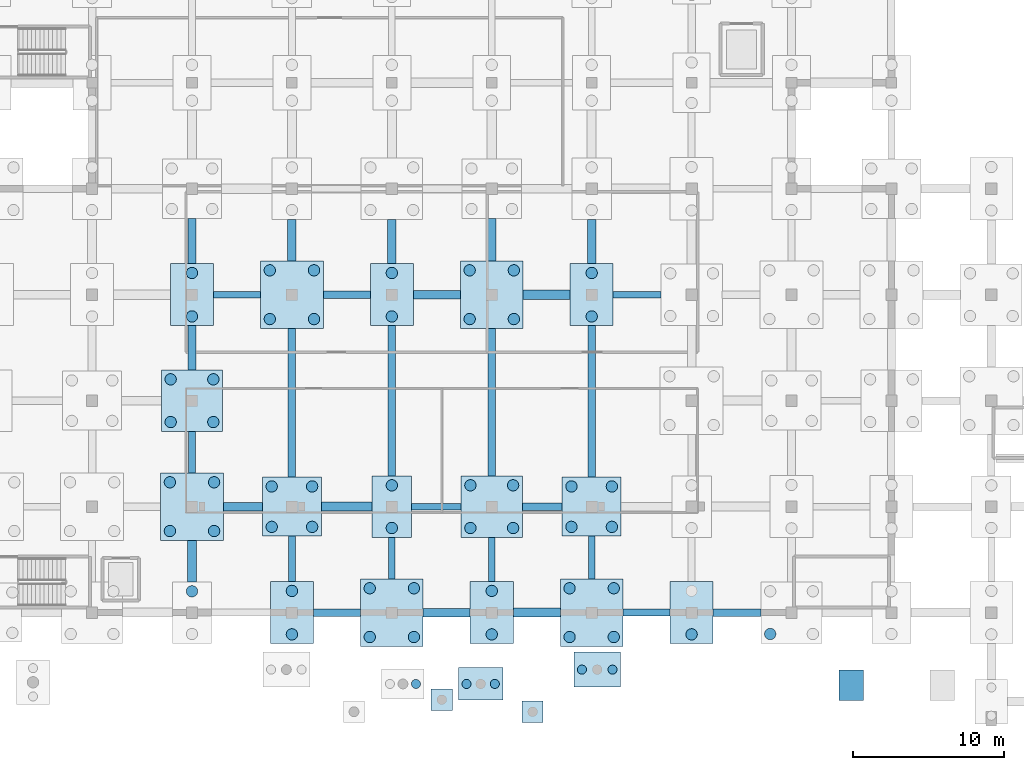
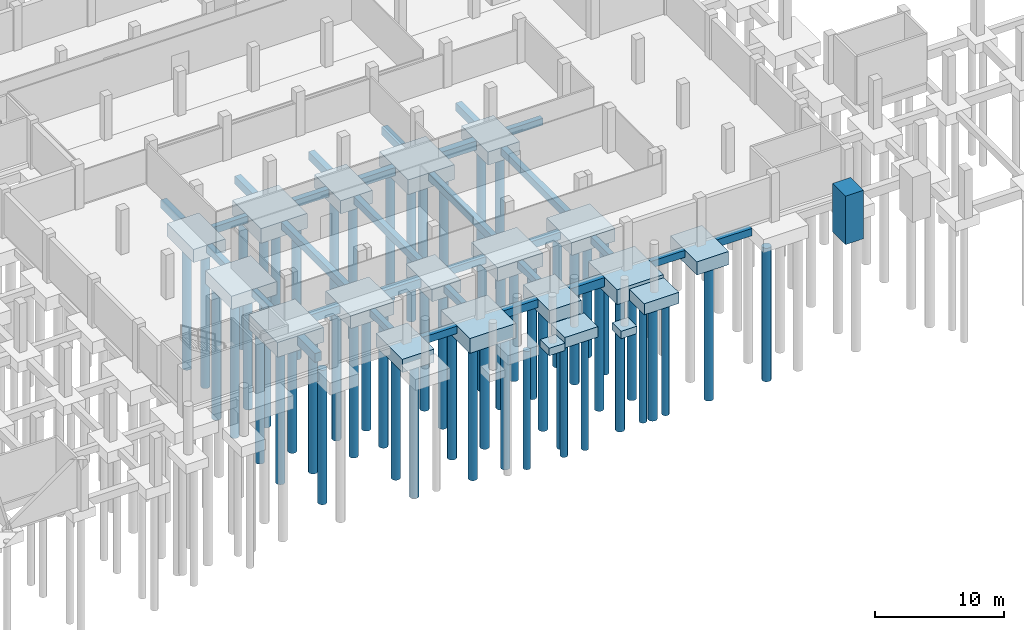
# One storey, part 4 of 27: 56 piles, 51 footings.
"""IFC4 building model written with IfcOpenShell, lengths in metres."""

from ifc_helpers import new_model, si_unit, direction, frame, origin, origin_2d, place, context, subcontext, project, spatial, rectangle, circle, extrude, material, material_profile, profile_set, type_object, element, save


model = new_model("IFC4")

# Units and contexts
model_context = context("Model", 3, precision=1e-05, world=origin(), true_north=direction((0.0, 1.0)))
body_context = subcontext(model_context, "Body", "Model", "MODEL_VIEW")
ifc_project = project(units=[si_unit("LENGTHUNIT", "METRE"), si_unit("AREAUNIT", "SQUARE_METRE"), si_unit("VOLUMEUNIT", "CUBIC_METRE"), si_unit("PLANEANGLEUNIT", "RADIAN"), si_unit("MASSUNIT", "GRAM", prefix="KILO")], contexts=[model_context])

# Site, building, storey
site_placement = place(None, origin())
site = spatial("IfcSite", under=ifc_project, at=site_placement, CompositionType="ELEMENT")
building_placement = place(site_placement, origin())
building = spatial("IfcBuilding", under=site, at=building_placement, Name="Ciguamira Faculty of Natural Sciences", CompositionType="ELEMENT")
storey_placement = place(building_placement, frame((0.0, 0.0, -4.199951171875)))
storey = spatial("IfcBuildingStorey", under=building, at=storey_placement, Name="B1", CompositionType="ELEMENT", Elevation=-4.199951171875)

# Piles
ifc_material = material(Name="Concrete C35/45", Category="concrete")
ifc_material_profile_1 = material_profile(ifc_material, circle(Radius=0.300048828125, at=origin_2d()), Name="PILE-BORED-600")
ifc_profile_set_1 = profile_set([ifc_material_profile_1], Name="Concrete C35/45")
pile_type_1 = type_object("IfcPileType", Name="BoredPile_BP-01_600", PredefinedType="BORED", material=ifc_profile_set_1)
pile_1_placement = place(storey_placement, frame((85.293212890625, 5.291259765625, -1.199951171875), z_axis=(0.0, 0.0, -1.0), x_axis=(1.0, 0.0, 0.0)))
element("IfcPile", 1, at=pile_1_placement, inside=storey, type_object=pile_type_1, Name="B1 bored pile 219-2", PredefinedType="BORED", context=body_context, shape_type="SweptSolid", body=[
    extrude(circle(Radius=0.300048828125, at=origin_2d()), origin(), (0.0, 0.0, 1.0), 11.199951171875),
])
for number, where, z_axis, x_axis, name in (
    (2, (88.631591796875, 5.291259765625, -1.300048828125), (0.0, 0.0, -1.0), (1.0, 0.0, 0.0), "B1 bored pile 220-1"),
    (3, (90.501708984375, 5.291259765625, -1.300048828125), (0.0, 0.0, -1.0), (1.0, 0.0, 0.0), "B1 bored pile 220-2"),
):
    element("IfcPile", number, at=place(storey_placement, frame(where, z_axis=z_axis, x_axis=x_axis)), inside=storey, type_object=pile_type_1, Name=name, PredefinedType="BORED", context=body_context, shape_type="SweptSolid", body=[
        extrude(circle(Radius=0.300048828125, at=origin_2d()), origin(), (0.0, 0.0, 1.0), 11.10009765625),
    ])
for number, where, z_axis, x_axis, name in (
    (4, (96.256591796875, 6.236572265625, -1.35009765625), (0.0, 0.0, -1.0), (1.0, 0.0, 0.0), "B1 bored pile 221-1"),
    (5, (98.276611328125, 6.236572265625, -1.35009765625), (0.0, 0.0, -1.0), (1.0, 0.0, 0.0), "B1 bored pile 221-2"),
):
    element("IfcPile", number, at=place(storey_placement, frame(where, z_axis=z_axis, x_axis=x_axis)), inside=storey, type_object=pile_type_1, Name=name, PredefinedType="BORED", context=body_context, shape_type="SweptSolid", body=[
        extrude(circle(Radius=0.300048828125, at=origin_2d()), origin(), (0.0, 0.0, 1.0), 11.050048828125),
    ])
ifc_material_profile_2 = material_profile(ifc_material, circle(Radius=0.375, at=origin_2d()), Name="PILE-BORED-750")
ifc_profile_set_2 = profile_set([ifc_material_profile_2], Name="Concrete C35/45")
pile_type_2 = type_object("IfcPileType", Name="BoredPile_BP-02_750", PredefinedType="BORED", material=ifc_profile_set_2)
pile_2_placement = place(storey_placement, frame((70.5, 11.409912109375, -1.449951171875), z_axis=(0.0, 0.0, -1.0), x_axis=(1.0, 0.0, 0.0)))
element("IfcPile", 6, at=pile_2_placement, inside=storey, type_object=pile_type_2, Name="B1 bored pile 066-2", PredefinedType="BORED", context=body_context, shape_type="SweptSolid", body=[
    extrude(circle(Radius=0.375, at=origin_2d()), origin(), (0.0, 0.0, 1.0), 12.75),
])
for number, where, z_axis, x_axis, name in (
    (7, (69.0400390625, 15.389892578125, -1.699951171875), (0.0, 0.0, -1.0), (1.0, 0.0, 0.0), "B1 bored pile 067-1"),
    (8, (71.9599609375, 15.389892578125, -1.699951171875), (0.0, 0.0, -1.0), (1.0, 0.0, 0.0), "B1 bored pile 067-2"),
    (9, (69.0400390625, 18.610107421875, -1.699951171875), (0.0, 0.0, -1.0), (1.0, 0.0, 0.0), "B1 bored pile 067-3"),
    (10, (71.9599609375, 18.610107421875, -1.699951171875), (0.0, 0.0, -1.0), (1.0, 0.0, 0.0), "B1 bored pile 067-4"),
):
    element("IfcPile", number, at=place(storey_placement, frame(where, z_axis=z_axis, x_axis=x_axis)), inside=storey, type_object=pile_type_2, Name=name, PredefinedType="BORED", context=body_context, shape_type="SweptSolid", body=[
        extrude(circle(Radius=0.375, at=origin_2d()), origin(), (0.0, 0.0, 1.0), 12.5),
    ])
for number, where, z_axis, x_axis, name in (
    (11, (69.090087890625, 22.590087890625, -1.550048828125), (0.0, 0.0, -1.0), (1.0, 0.0, 0.0), "B1 bored pile 068-1"),
    (12, (71.909912109375, 22.590087890625, -1.550048828125), (0.0, 0.0, -1.0), (1.0, 0.0, 0.0), "B1 bored pile 068-2"),
    (13, (69.090087890625, 25.409912109375, -1.550048828125), (0.0, 0.0, -1.0), (1.0, 0.0, 0.0), "B1 bored pile 068-3"),
    (14, (71.909912109375, 25.409912109375, -1.550048828125), (0.0, 0.0, -1.0), (1.0, 0.0, 0.0), "B1 bored pile 068-4"),
    (15, (70.5, 29.56494140625, -1.550048828125), (0.0, 0.0, -1.0), (1.0, 0.0, 0.0), "B1 bored pile 069-1"),
    (16, (70.5, 32.43505859375, -1.550048828125), (0.0, 0.0, -1.0), (1.0, 0.0, 0.0), "B1 bored pile 069-2"),
    (17, (77.10009765625, 8.56494140625, -1.550048828125), (0.0, 0.0, -1.0), (1.0, 0.0, 0.0), "B1 bored pile 081-1"),
    (18, (77.10009765625, 11.43505859375, -1.550048828125), (0.0, 0.0, -1.0), (1.0, 0.0, 0.0), "B1 bored pile 081-2"),
):
    element("IfcPile", number, at=place(storey_placement, frame(where, z_axis=z_axis, x_axis=x_axis)), inside=storey, type_object=pile_type_2, Name=name, PredefinedType="BORED", context=body_context, shape_type="SweptSolid", body=[
        extrude(circle(Radius=0.375, at=origin_2d()), origin(), (0.0, 0.0, 1.0), 12.64990234375),
    ])
for number, where, z_axis, x_axis, name in (
    (19, (75.764892578125, 15.6650390625, -1.5), (0.0, 0.0, -1.0), (1.0, 0.0, 0.0), "B1 bored pile 082-1"),
    (20, (78.43505859375, 15.6650390625, -1.5), (0.0, 0.0, -1.0), (1.0, 0.0, 0.0), "B1 bored pile 082-2"),
    (21, (75.764892578125, 18.3349609375, -1.5), (0.0, 0.0, -1.0), (1.0, 0.0, 0.0), "B1 bored pile 082-3"),
    (22, (78.43505859375, 18.3349609375, -1.5), (0.0, 0.0, -1.0), (1.0, 0.0, 0.0), "B1 bored pile 082-4"),
):
    element("IfcPile", number, at=place(storey_placement, frame(where, z_axis=z_axis, x_axis=x_axis)), inside=storey, type_object=pile_type_2, Name=name, PredefinedType="BORED", context=body_context, shape_type="SweptSolid", body=[
        extrude(circle(Radius=0.375, at=origin_2d()), origin(), (0.0, 0.0, 1.0), 12.699951171875),
    ])
for number, where, z_axis, x_axis, name in (
    (23, (75.639892578125, 29.389892578125, -1.699951171875), (0.0, 0.0, -1.0), (1.0, 0.0, 0.0), "B1 bored pile 083-1"),
    (24, (78.56005859375, 29.389892578125, -1.699951171875), (0.0, 0.0, -1.0), (1.0, 0.0, 0.0), "B1 bored pile 083-2"),
    (25, (75.639892578125, 32.610107421875, -1.699951171875), (0.0, 0.0, -1.0), (1.0, 0.0, 0.0), "B1 bored pile 083-3"),
    (26, (78.56005859375, 32.610107421875, -1.699951171875), (0.0, 0.0, -1.0), (1.0, 0.0, 0.0), "B1 bored pile 083-4"),
    (27, (82.239990234375, 8.389892578125, -1.699951171875), (0.0, 0.0, -1.0), (1.0, 0.0, 0.0), "B1 bored pile 095-1"),
    (28, (85.159912109375, 8.389892578125, -1.699951171875), (0.0, 0.0, -1.0), (1.0, 0.0, 0.0), "B1 bored pile 095-2"),
    (29, (82.239990234375, 11.610107421875, -1.699951171875), (0.0, 0.0, -1.0), (1.0, 0.0, 0.0), "B1 bored pile 095-3"),
    (30, (85.159912109375, 11.610107421875, -1.699951171875), (0.0, 0.0, -1.0), (1.0, 0.0, 0.0), "B1 bored pile 095-4"),
):
    element("IfcPile", number, at=place(storey_placement, frame(where, z_axis=z_axis, x_axis=x_axis)), inside=storey, type_object=pile_type_2, Name=name, PredefinedType="BORED", context=body_context, shape_type="SweptSolid", body=[
        extrude(circle(Radius=0.375, at=origin_2d()), origin(), (0.0, 0.0, 1.0), 12.5),
    ])
for number, where, z_axis, x_axis, name in (
    (31, (83.699951171875, 15.590087890625, -1.449951171875), (0.0, 0.0, -1.0), (1.0, 0.0, 0.0), "B1 bored pile 096-1"),
    (32, (83.699951171875, 18.409912109375, -1.449951171875), (0.0, 0.0, -1.0), (1.0, 0.0, 0.0), "B1 bored pile 096-2"),
):
    element("IfcPile", number, at=place(storey_placement, frame(where, z_axis=z_axis, x_axis=x_axis)), inside=storey, type_object=pile_type_2, Name=name, PredefinedType="BORED", context=body_context, shape_type="SweptSolid", body=[
        extrude(circle(Radius=0.375, at=origin_2d()), origin(), (0.0, 0.0, 1.0), 12.75),
    ])
for number, where, z_axis, x_axis, name in (
    (33, (83.699951171875, 29.56494140625, -1.550048828125), (0.0, 0.0, -1.0), (1.0, 0.0, 0.0), "B1 bored pile 097-1"),
    (34, (83.699951171875, 32.43505859375, -1.550048828125), (0.0, 0.0, -1.0), (1.0, 0.0, 0.0), "B1 bored pile 097-2"),
    (35, (90.300048828125, 8.56494140625, -1.550048828125), (0.0, 0.0, -1.0), (1.0, 0.0, 0.0), "B1 bored pile 109-1"),
    (36, (90.300048828125, 11.43505859375, -1.550048828125), (0.0, 0.0, -1.0), (1.0, 0.0, 0.0), "B1 bored pile 109-2"),
    (37, (88.889892578125, 15.590087890625, -1.550048828125), (0.0, 0.0, -1.0), (1.0, 0.0, 0.0), "B1 bored pile 110-1"),
    (38, (91.7099609375, 15.590087890625, -1.550048828125), (0.0, 0.0, -1.0), (1.0, 0.0, 0.0), "B1 bored pile 110-2"),
    (39, (88.889892578125, 18.409912109375, -1.550048828125), (0.0, 0.0, -1.0), (1.0, 0.0, 0.0), "B1 bored pile 110-3"),
    (40, (91.7099609375, 18.409912109375, -1.550048828125), (0.0, 0.0, -1.0), (1.0, 0.0, 0.0), "B1 bored pile 110-4"),
):
    element("IfcPile", number, at=place(storey_placement, frame(where, z_axis=z_axis, x_axis=x_axis)), inside=storey, type_object=pile_type_2, Name=name, PredefinedType="BORED", context=body_context, shape_type="SweptSolid", body=[
        extrude(circle(Radius=0.375, at=origin_2d()), origin(), (0.0, 0.0, 1.0), 12.64990234375),
    ])
for number, where, z_axis, x_axis, name in (
    (41, (88.840087890625, 29.389892578125, -1.699951171875), (0.0, 0.0, -1.0), (1.0, 0.0, 0.0), "B1 bored pile 111-1"),
    (42, (91.760009765625, 29.389892578125, -1.699951171875), (0.0, 0.0, -1.0), (1.0, 0.0, 0.0), "B1 bored pile 111-2"),
    (43, (88.840087890625, 32.610107421875, -1.699951171875), (0.0, 0.0, -1.0), (1.0, 0.0, 0.0), "B1 bored pile 111-3"),
    (44, (91.760009765625, 32.610107421875, -1.699951171875), (0.0, 0.0, -1.0), (1.0, 0.0, 0.0), "B1 bored pile 111-4"),
    (45, (95.43994140625, 8.389892578125, -1.699951171875), (0.0, 0.0, -1.0), (1.0, 0.0, 0.0), "B1 bored pile 123-1"),
    (46, (98.360107421875, 8.389892578125, -1.699951171875), (0.0, 0.0, -1.0), (1.0, 0.0, 0.0), "B1 bored pile 123-2"),
    (47, (95.43994140625, 11.610107421875, -1.699951171875), (0.0, 0.0, -1.0), (1.0, 0.0, 0.0), "B1 bored pile 123-3"),
    (48, (98.360107421875, 11.610107421875, -1.699951171875), (0.0, 0.0, -1.0), (1.0, 0.0, 0.0), "B1 bored pile 123-4"),
):
    element("IfcPile", number, at=place(storey_placement, frame(where, z_axis=z_axis, x_axis=x_axis)), inside=storey, type_object=pile_type_2, Name=name, PredefinedType="BORED", context=body_context, shape_type="SweptSolid", body=[
        extrude(circle(Radius=0.375, at=origin_2d()), origin(), (0.0, 0.0, 1.0), 12.5),
    ])
for number, where, z_axis, x_axis, name in (
    (49, (95.56494140625, 15.6650390625, -1.5), (0.0, 0.0, -1.0), (1.0, 0.0, 0.0), "B1 bored pile 124-1"),
    (50, (98.235107421875, 15.6650390625, -1.5), (0.0, 0.0, -1.0), (1.0, 0.0, 0.0), "B1 bored pile 124-2"),
    (51, (95.56494140625, 18.3349609375, -1.5), (0.0, 0.0, -1.0), (1.0, 0.0, 0.0), "B1 bored pile 124-3"),
    (52, (98.235107421875, 18.3349609375, -1.5), (0.0, 0.0, -1.0), (1.0, 0.0, 0.0), "B1 bored pile 124-4"),
):
    element("IfcPile", number, at=place(storey_placement, frame(where, z_axis=z_axis, x_axis=x_axis)), inside=storey, type_object=pile_type_2, Name=name, PredefinedType="BORED", context=body_context, shape_type="SweptSolid", body=[
        extrude(circle(Radius=0.375, at=origin_2d()), origin(), (0.0, 0.0, 1.0), 12.699951171875),
    ])
for number, where, z_axis, x_axis, name in (
    (53, (96.89990234375, 29.56494140625, -1.550048828125), (0.0, 0.0, -1.0), (1.0, 0.0, 0.0), "B1 bored pile 125-1"),
    (54, (96.89990234375, 32.43505859375, -1.550048828125), (0.0, 0.0, -1.0), (1.0, 0.0, 0.0), "B1 bored pile 125-2"),
    (55, (103.5, 8.56494140625, -1.550048828125), (0.0, 0.0, -1.0), (1.0, 0.0, 0.0), "B1 bored pile 137-1"),
    (56, (108.68994140625, 8.590087890625, -1.550048828125), (0.0, 0.0, -1.0), (1.0, 0.0, 0.0), "B1 bored pile 152-1"),
):
    element("IfcPile", number, at=place(storey_placement, frame(where, z_axis=z_axis, x_axis=x_axis)), inside=storey, type_object=pile_type_2, Name=name, PredefinedType="BORED", context=body_context, shape_type="SweptSolid", body=[
        extrude(circle(Radius=0.375, at=origin_2d()), origin(), (0.0, 0.0, 1.0), 12.64990234375),
    ])

# Footings
ifc_material_profile_3 = material_profile(ifc_material, rectangle(XDim=0.449951171875, YDim=0.64990234375, at=origin_2d()), Name="RC-FB-450X650")
ifc_profile_set_3 = profile_set([ifc_material_profile_3], Name="Concrete C35/45")
footing_type_1 = type_object("IfcFootingType", Name="FootingBeam_FB-01_450x650", PredefinedType="FOOTING_BEAM", material=ifc_profile_set_3)
footing_1_placement = place(storey_placement, frame((98.97509765625, 10.0, -0.72509765625), z_axis=(1.0, 0.0, 0.0), x_axis=(0.0, 1.0, 0.0)))
element("IfcFooting", 57, at=footing_1_placement, inside=storey, type_object=footing_type_1, Name="B1 ground tie beam 0029", PredefinedType="FOOTING_BEAM", context=body_context, shape_type="SweptSolid", body=[
    extrude(rectangle(XDim=0.449951171875, YDim=0.64990234375, at=origin_2d()), origin(), (0.0, 0.0, 1.0), 3.099853515625),
])
footing_2_placement = place(storey_placement, frame((85.0, 17.0, -0.72509765625), z_axis=(1.0, 0.0, 0.0), x_axis=(0.0, 1.0, 0.0)))
element("IfcFooting", 58, at=footing_2_placement, inside=storey, type_object=footing_type_1, Name="B1 ground tie beam 0045", PredefinedType="FOOTING_BEAM", context=body_context, shape_type="SweptSolid", body=[
    extrude(rectangle(XDim=0.449951171875, YDim=0.64990234375, at=origin_2d()), origin(), (0.0, 0.0, 1.0), 3.27490234375),
])
footing_3_placement = place(storey_placement, frame((71.925048828125, 31.0, -0.72509765625), z_axis=(1.0, 0.0, 0.0), x_axis=(0.0, 1.0, 0.0)))
element("IfcFooting", 59, at=footing_3_placement, inside=storey, type_object=footing_type_1, Name="B1 ground tie beam 0081", PredefinedType="FOOTING_BEAM", context=body_context, shape_type="SweptSolid", body=[
    extrude(rectangle(XDim=0.449951171875, YDim=0.64990234375, at=origin_2d()), origin(), (0.0, 0.0, 1.0), 3.099853515625),
])
footing_4_placement = place(storey_placement, frame((98.324951171875, 31.0, -0.72509765625), z_axis=(1.0, 0.0, 0.0), x_axis=(0.0, 1.0, 0.0)))
element("IfcFooting", 60, at=footing_4_placement, inside=storey, type_object=footing_type_1, Name="B1 ground tie beam 0085", PredefinedType="FOOTING_BEAM", context=body_context, shape_type="SweptSolid", body=[
    extrude(rectangle(XDim=0.449951171875, YDim=0.64990234375, at=origin_2d()), origin(), (0.0, 0.0, 1.0), 3.150146484375),
])
footing_5_placement = place(storey_placement, frame((70.5, 19.22509765625, -0.72509765625), z_axis=(0.0, 1.0, 0.0), x_axis=(-1.0, 0.0, 0.0)))
element("IfcFooting", 61, at=footing_5_placement, inside=storey, type_object=footing_type_1, Name="B1 ground tie beam 0249", PredefinedType="FOOTING_BEAM", context=body_context, shape_type="SweptSolid", body=[
    extrude(rectangle(XDim=0.449951171875, YDim=0.64990234375, at=origin_2d()), origin(), (0.0, 0.0, 1.0), 2.75),
])
footing_6_placement = place(storey_placement, frame((77.10009765625, 12.050048828125, -0.72509765625), z_axis=(0.0, 1.0, 0.0), x_axis=(-1.0, 0.0, 0.0)))
element("IfcFooting", 62, at=footing_6_placement, inside=storey, type_object=footing_type_1, Name="B1 ground tie beam 0261", PredefinedType="FOOTING_BEAM", context=body_context, shape_type="SweptSolid", body=[
    extrude(rectangle(XDim=0.449951171875, YDim=0.64990234375, at=origin_2d()), origin(), (0.0, 0.0, 1.0), 3.0),
])
footing_7_placement = place(storey_placement, frame((83.699951171875, 12.22509765625, -0.72509765625), z_axis=(0.0, 1.0, 0.0), x_axis=(-1.0, 0.0, 0.0)))
element("IfcFooting", 63, at=footing_7_placement, inside=storey, type_object=footing_type_1, Name="B1 ground tie beam 0273", PredefinedType="FOOTING_BEAM", context=body_context, shape_type="SweptSolid", body=[
    extrude(rectangle(XDim=0.449951171875, YDim=0.64990234375, at=origin_2d()), origin(), (0.0, 0.0, 1.0), 2.75),
])
footing_8_placement = place(storey_placement, frame((90.300048828125, 12.050048828125, -0.72509765625), z_axis=(0.0, 1.0, 0.0), x_axis=(-1.0, 0.0, 0.0)))
element("IfcFooting", 64, at=footing_8_placement, inside=storey, type_object=footing_type_1, Name="B1 ground tie beam 0285", PredefinedType="FOOTING_BEAM", context=body_context, shape_type="SweptSolid", body=[
    extrude(rectangle(XDim=0.449951171875, YDim=0.64990234375, at=origin_2d()), origin(), (0.0, 0.0, 1.0), 2.925048828125),
])
footing_9_placement = place(storey_placement, frame((96.89990234375, 12.22509765625, -0.72509765625), z_axis=(0.0, 1.0, 0.0), x_axis=(-1.0, 0.0, 0.0)))
element("IfcFooting", 65, at=footing_9_placement, inside=storey, type_object=footing_type_1, Name="B1 ground tie beam 0297", PredefinedType="FOOTING_BEAM", context=body_context, shape_type="SweptSolid", body=[
    extrude(rectangle(XDim=0.449951171875, YDim=0.64990234375, at=origin_2d()), origin(), (0.0, 0.0, 1.0), 2.824951171875),
])
ifc_material_profile_4 = material_profile(ifc_material, rectangle(XDim=0.5, YDim=0.699951171875, at=origin_2d()), Name="RC-FB-500X700")
ifc_profile_set_4 = profile_set([ifc_material_profile_4], Name="Concrete C35/45")
footing_type_2 = type_object("IfcFootingType", Name="FootingBeam_FB-02_500x700", PredefinedType="FOOTING_BEAM", material=ifc_profile_set_4)
footing_10_placement = place(storey_placement, frame((78.52490234375, 10.0, -0.75), z_axis=(1.0, 0.0, 0.0), x_axis=(0.0, 1.0, 0.0)))
element("IfcFooting", 66, at=footing_10_placement, inside=storey, type_object=footing_type_2, Name="B1 ground tie beam 0026", PredefinedType="FOOTING_BEAM", context=body_context, shape_type="SweptSolid", body=[
    extrude(rectangle(XDim=0.5, YDim=0.699951171875, at=origin_2d()), origin(), (0.0, 0.0, 1.0), 3.10009765625),
])
footing_11_placement = place(storey_placement, frame((104.925048828125, 10.0, -0.75), z_axis=(1.0, 0.0, 0.0), x_axis=(0.0, 1.0, 0.0)))
element("IfcFooting", 67, at=footing_11_placement, inside=storey, type_object=footing_type_2, Name="B1 ground tie beam 0030", PredefinedType="FOOTING_BEAM", context=body_context, shape_type="SweptSolid", body=[
    extrude(rectangle(XDim=0.5, YDim=0.699951171875, at=origin_2d()), origin(), (0.0, 0.0, 1.0), 3.14990234375),
])
footing_12_placement = place(storey_placement, frame((92.324951171875, 17.0, -0.75), z_axis=(1.0, 0.0, 0.0), x_axis=(0.0, 1.0, 0.0)))
element("IfcFooting", 68, at=footing_12_placement, inside=storey, type_object=footing_type_2, Name="B1 ground tie beam 0046", PredefinedType="FOOTING_BEAM", context=body_context, shape_type="SweptSolid", body=[
    extrude(rectangle(XDim=0.5, YDim=0.699951171875, at=origin_2d()), origin(), (0.0, 0.0, 1.0), 2.625),
])
footing_13_placement = place(storey_placement, frame((79.175048828125, 31.0, -0.75), z_axis=(1.0, 0.0, 0.0), x_axis=(0.0, 1.0, 0.0)))
element("IfcFooting", 69, at=footing_13_placement, inside=storey, type_object=footing_type_2, Name="B1 ground tie beam 0082", PredefinedType="FOOTING_BEAM", context=body_context, shape_type="SweptSolid", body=[
    extrude(rectangle(XDim=0.5, YDim=0.699951171875, at=origin_2d()), origin(), (0.0, 0.0, 1.0), 3.099853515625),
])
footing_14_placement = place(storey_placement, frame((70.5, 26.02490234375, -0.75), z_axis=(0.0, 1.0, 0.0), x_axis=(-1.0, 0.0, 0.0)))
element("IfcFooting", 70, at=footing_14_placement, inside=storey, type_object=footing_type_2, Name="B1 ground tie beam 0250", PredefinedType="FOOTING_BEAM", context=body_context, shape_type="SweptSolid", body=[
    extrude(rectangle(XDim=0.5, YDim=0.699951171875, at=origin_2d()), origin(), (0.0, 0.0, 1.0), 2.925048828125),
])
footing_15_placement = place(storey_placement, frame((77.10009765625, 18.949951171875, -0.75), z_axis=(0.0, 1.0, 0.0), x_axis=(-1.0, 0.0, 0.0)))
element("IfcFooting", 71, at=footing_15_placement, inside=storey, type_object=footing_type_2, Name="B1 ground tie beam 0262", PredefinedType="FOOTING_BEAM", context=body_context, shape_type="SweptSolid", body=[
    extrude(rectangle(XDim=0.5, YDim=0.699951171875, at=origin_2d()), origin(), (0.0, 0.0, 1.0), 9.824951171875),
])
footing_16_placement = place(storey_placement, frame((83.699951171875, 19.02490234375, -0.75), z_axis=(0.0, 1.0, 0.0), x_axis=(-1.0, 0.0, 0.0)))
element("IfcFooting", 72, at=footing_16_placement, inside=storey, type_object=footing_type_2, Name="B1 ground tie beam 0274", PredefinedType="FOOTING_BEAM", context=body_context, shape_type="SweptSolid", body=[
    extrude(rectangle(XDim=0.5, YDim=0.699951171875, at=origin_2d()), origin(), (0.0, 0.0, 1.0), 9.925048828125),
])
footing_17_placement = place(storey_placement, frame((90.300048828125, 19.02490234375, -0.75), z_axis=(0.0, 1.0, 0.0), x_axis=(-1.0, 0.0, 0.0)))
element("IfcFooting", 73, at=footing_17_placement, inside=storey, type_object=footing_type_2, Name="B1 ground tie beam 0286", PredefinedType="FOOTING_BEAM", context=body_context, shape_type="SweptSolid", body=[
    extrude(rectangle(XDim=0.5, YDim=0.699951171875, at=origin_2d()), origin(), (0.0, 0.0, 1.0), 9.75),
])
footing_18_placement = place(storey_placement, frame((96.89990234375, 18.949951171875, -0.75), z_axis=(0.0, 1.0, 0.0), x_axis=(-1.0, 0.0, 0.0)))
element("IfcFooting", 74, at=footing_18_placement, inside=storey, type_object=footing_type_2, Name="B1 ground tie beam 0298", PredefinedType="FOOTING_BEAM", context=body_context, shape_type="SweptSolid", body=[
    extrude(rectangle(XDim=0.5, YDim=0.699951171875, at=origin_2d()), origin(), (0.0, 0.0, 1.0), 10.0),
])
ifc_material_profile_5 = material_profile(ifc_material, rectangle(XDim=0.550048828125, YDim=0.75, at=origin_2d()), Name="RC-FB-550X750")
ifc_profile_set_5 = profile_set([ifc_material_profile_5], Name="Concrete C35/45")
footing_type_3 = type_object("IfcFootingType", Name="FootingBeam_FB-03_550x750", PredefinedType="FOOTING_BEAM", material=ifc_profile_set_5)
footing_19_placement = place(storey_placement, frame((85.77490234375, 10.0, -0.775146484375), z_axis=(1.0, 0.0, 0.0), x_axis=(0.0, 1.0, 0.0)))
element("IfcFooting", 75, at=footing_19_placement, inside=storey, type_object=footing_type_3, Name="B1 ground tie beam 0027", PredefinedType="FOOTING_BEAM", context=body_context, shape_type="SweptSolid", body=[
    extrude(rectangle(XDim=0.550048828125, YDim=0.75, at=origin_2d()), origin(), (0.0, 0.0, 1.0), 3.10009765625),
])
footing_20_placement = place(storey_placement, frame((72.574951171875, 17.0, -0.775146484375), z_axis=(1.0, 0.0, 0.0), x_axis=(0.0, 1.0, 0.0)))
element("IfcFooting", 76, at=footing_20_placement, inside=storey, type_object=footing_type_3, Name="B1 ground tie beam 0043", PredefinedType="FOOTING_BEAM", context=body_context, shape_type="SweptSolid", body=[
    extrude(rectangle(XDim=0.550048828125, YDim=0.75, at=origin_2d()), origin(), (0.0, 0.0, 1.0), 2.574951171875),
])
footing_21_placement = place(storey_placement, frame((85.125, 31.0, -0.775146484375), z_axis=(1.0, 0.0, 0.0), x_axis=(0.0, 1.0, 0.0)))
element("IfcFooting", 77, at=footing_21_placement, inside=storey, type_object=footing_type_3, Name="B1 ground tie beam 0083", PredefinedType="FOOTING_BEAM", context=body_context, shape_type="SweptSolid", body=[
    extrude(rectangle(XDim=0.550048828125, YDim=0.75, at=origin_2d()), origin(), (0.0, 0.0, 1.0), 3.10009765625),
])
footing_22_placement = place(storey_placement, frame((70.5, 33.050048828125, -0.775146484375), z_axis=(0.0, 1.0, 0.0), x_axis=(-1.0, 0.0, 0.0)))
element("IfcFooting", 78, at=footing_22_placement, inside=storey, type_object=footing_type_3, Name="B1 ground tie beam 0251", PredefinedType="FOOTING_BEAM", context=body_context, shape_type="SweptSolid", body=[
    extrude(rectangle(XDim=0.550048828125, YDim=0.75, at=origin_2d()), origin(), (0.0, 0.0, 1.0), 3.0),
])
footing_23_placement = place(storey_placement, frame((77.10009765625, 33.22509765625, -0.775146484375), z_axis=(0.0, 1.0, 0.0), x_axis=(-1.0, 0.0, 0.0)))
element("IfcFooting", 79, at=footing_23_placement, inside=storey, type_object=footing_type_3, Name="B1 ground tie beam 0263", PredefinedType="FOOTING_BEAM", context=body_context, shape_type="SweptSolid", body=[
    extrude(rectangle(XDim=0.550048828125, YDim=0.75, at=origin_2d()), origin(), (0.0, 0.0, 1.0), 2.75),
])
footing_24_placement = place(storey_placement, frame((83.699951171875, 33.050048828125, -0.775146484375), z_axis=(0.0, 1.0, 0.0), x_axis=(-1.0, 0.0, 0.0)))
element("IfcFooting", 80, at=footing_24_placement, inside=storey, type_object=footing_type_3, Name="B1 ground tie beam 0275", PredefinedType="FOOTING_BEAM", context=body_context, shape_type="SweptSolid", body=[
    extrude(rectangle(XDim=0.550048828125, YDim=0.75, at=origin_2d()), origin(), (0.0, 0.0, 1.0), 2.925048828125),
])
footing_25_placement = place(storey_placement, frame((90.300048828125, 33.22509765625, -0.775146484375), z_axis=(0.0, 1.0, 0.0), x_axis=(-1.0, 0.0, 0.0)))
element("IfcFooting", 81, at=footing_25_placement, inside=storey, type_object=footing_type_3, Name="B1 ground tie beam 0287", PredefinedType="FOOTING_BEAM", context=body_context, shape_type="SweptSolid", body=[
    extrude(rectangle(XDim=0.550048828125, YDim=0.75, at=origin_2d()), origin(), (0.0, 0.0, 1.0), 2.824951171875),
])
footing_26_placement = place(storey_placement, frame((96.89990234375, 33.050048828125, -0.775146484375), z_axis=(0.0, 1.0, 0.0), x_axis=(-1.0, 0.0, 0.0)))
element("IfcFooting", 82, at=footing_26_placement, inside=storey, type_object=footing_type_3, Name="B1 ground tie beam 0299", PredefinedType="FOOTING_BEAM", context=body_context, shape_type="SweptSolid", body=[
    extrude(rectangle(XDim=0.550048828125, YDim=0.75, at=origin_2d()), origin(), (0.0, 0.0, 1.0), 2.925048828125),
])
ifc_material_profile_6 = material_profile(ifc_material, rectangle(XDim=0.60009765625, YDim=0.85009765625, at=origin_2d()), Name="RC-FB-600X850")
ifc_profile_set_6 = profile_set([ifc_material_profile_6], Name="Concrete C35/45")
footing_type_4 = type_object("IfcFootingType", Name="FootingBeam_FB-04_600x850", PredefinedType="FOOTING_BEAM", material=ifc_profile_set_6)
footing_27_placement = place(storey_placement, frame((91.72509765625, 10.0, -0.824951171875), z_axis=(1.0, 0.0, 0.0), x_axis=(0.0, 1.0, 0.0)))
element("IfcFooting", 83, at=footing_27_placement, inside=storey, type_object=footing_type_4, Name="B1 ground tie beam 0028", PredefinedType="FOOTING_BEAM", context=body_context, shape_type="SweptSolid", body=[
    extrude(rectangle(XDim=0.60009765625, YDim=0.85009765625, at=origin_2d()), origin(), (0.0, 0.0, 1.0), 3.099853515625),
])
footing_28_placement = place(storey_placement, frame((79.050048828125, 17.0, -0.824951171875), z_axis=(1.0, 0.0, 0.0), x_axis=(0.0, 1.0, 0.0)))
element("IfcFooting", 84, at=footing_28_placement, inside=storey, type_object=footing_type_4, Name="B1 ground tie beam 0044", PredefinedType="FOOTING_BEAM", context=body_context, shape_type="SweptSolid", body=[
    extrude(rectangle(XDim=0.60009765625, YDim=0.85009765625, at=origin_2d()), origin(), (0.0, 0.0, 1.0), 3.349853515625),
])
footing_29_placement = place(storey_placement, frame((92.375, 31.0, -0.824951171875), z_axis=(1.0, 0.0, 0.0), x_axis=(0.0, 1.0, 0.0)))
element("IfcFooting", 85, at=footing_29_placement, inside=storey, type_object=footing_type_4, Name="B1 ground tie beam 0084", PredefinedType="FOOTING_BEAM", context=body_context, shape_type="SweptSolid", body=[
    extrude(rectangle(XDim=0.60009765625, YDim=0.85009765625, at=origin_2d()), origin(), (0.0, 0.0, 1.0), 3.10009765625),
])
footing_30_placement = place(storey_placement, frame((70.5, 12.02490234375, -0.824951171875), z_axis=(0.0, 1.0, 0.0), x_axis=(-1.0, 0.0, 0.0)))
element("IfcFooting", 86, at=footing_30_placement, inside=storey, type_object=footing_type_4, Name="B1 ground tie beam 0248", PredefinedType="FOOTING_BEAM", context=body_context, shape_type="SweptSolid", body=[
    extrude(rectangle(XDim=0.60009765625, YDim=0.85009765625, at=origin_2d()), origin(), (0.0, 0.0, 1.0), 2.75),
])
footing_type_5 = type_object("IfcFootingType", Name="PadFooting_RFP-PV_1400x1400x700", PredefinedType="PAD_FOOTING", material=ifc_material)
for number, where, z_axis, x_axis, name in (
    (87, (93.0, 3.449951171875, -1.10009765625), (0.0, 0.0, 1.0), (1.0, 0.0, 0.0), "B1 exterior slab pier pad footing ARCPAD2"),
    (88, (87.0, 4.25, -1.10009765625), (0.0, 0.0, 1.0), (1.0, 0.0, 0.0), "B1 exterior slab pier pad footing ARCPAD3"),
):
    element("IfcFooting", number, at=place(storey_placement, frame(where, z_axis=z_axis, x_axis=x_axis)), inside=storey, type_object=footing_type_5, Name=name, PredefinedType="PAD_FOOTING", context=body_context, shape_type="SweptSolid", body=[
        extrude(rectangle(XDim=1.39990234375, YDim=1.39990234375, at=origin_2d()), origin(), (0.0, 0.0, 1.0), 0.699951171875),
    ])
footing_type_6 = type_object("IfcFootingType", Name="PileCap_PC-02_215x295x100", PredefinedType="PILE_CAP", material=ifc_material)
footing_31_placement = place(storey_placement, frame((89.566650390625, 5.291259765625, -1.400146484375), z_axis=(0.0, 0.0, 1.0), x_axis=(0.0, 1.0, 0.0)))
element("IfcFooting", 89, at=footing_31_placement, inside=storey, type_object=footing_type_6, Name="B1 pile cap PC-02 at (89.6, 5.3)", PredefinedType="PILE_CAP", context=body_context, shape_type="SweptSolid", body=[
    extrude(rectangle(XDim=2.14990234375, YDim=2.949951171875, at=origin_2d()), origin(), (0.0, 0.0, 1.0), 1.0),
])
footing_type_7 = type_object("IfcFootingType", Name="PileCap_PC-03_230x310x105", PredefinedType="PILE_CAP", material=ifc_material)
footing_32_placement = place(storey_placement, frame((97.2666015625, 6.236572265625, -1.4501953125), z_axis=(0.0, 0.0, 1.0), x_axis=(0.0, 1.0, 0.0)))
element("IfcFooting", 90, at=footing_32_placement, inside=storey, type_object=footing_type_7, Name="B1 pile cap PC-03 at (97.3, 6.2)", PredefinedType="PILE_CAP", context=body_context, shape_type="SweptSolid", body=[
    extrude(rectangle(XDim=2.300048828125, YDim=3.10009765625, at=origin_2d()), origin(), (0.0, 0.0, 1.0), 1.050048828125),
])
footing_type_8 = type_object("IfcFootingType", Name="PileCap_PC-05_260x405x115", PredefinedType="PILE_CAP", material=ifc_material)
footing_33_placement = place(storey_placement, frame((83.699951171875, 17.0, -1.550048828125), z_axis=(0.0, 0.0, 1.0), x_axis=(1.0, 0.0, 0.0)))
element("IfcFooting", 91, at=footing_33_placement, inside=storey, type_object=footing_type_8, Name="B1 pile cap PC-05 at (83.7, 17.0)", PredefinedType="PILE_CAP", context=body_context, shape_type="SweptSolid", body=[
    extrude(rectangle(XDim=2.60009765625, YDim=4.050048828125, at=origin_2d()), origin(), (0.0, 0.0, 1.0), 1.14990234375),
])
footing_type_9 = type_object("IfcFootingType", Name="PileCap_PC-06_390x390x120", PredefinedType="PILE_CAP", material=ifc_material)
for number, where, z_axis, x_axis, name in (
    (92, (77.10009765625, 17.0, -1.60009765625), (0.0, 0.0, 1.0), (1.0, 0.0, 0.0), "B1 pile cap PC-06 at (77.1, 17.0)"),
    (93, (96.89990234375, 17.0, -1.60009765625), (0.0, 0.0, 1.0), (1.0, 0.0, 0.0), "B1 pile cap PC-06 at (96.9, 17.0)"),
):
    element("IfcFooting", number, at=place(storey_placement, frame(where, z_axis=z_axis, x_axis=x_axis)), inside=storey, type_object=footing_type_9, Name=name, PredefinedType="PILE_CAP", context=body_context, shape_type="SweptSolid", body=[
        extrude(rectangle(XDim=3.89990234375, YDim=3.89990234375, at=origin_2d()), origin(), (0.0, 0.0, 1.0), 1.199951171875),
    ])
footing_type_10 = type_object("IfcFootingType", Name="PileCap_PC-07_405x405x125", PredefinedType="PILE_CAP", material=ifc_material)
for number, where, z_axis, x_axis, name in (
    (94, (70.5, 24.0, -1.650146484375), (0.0, 0.0, 1.0), (1.0, 0.0, 0.0), "B1 pile cap PC-07 at (70.5, 24.0)"),
    (95, (90.300048828125, 17.0, -1.650146484375), (0.0, 0.0, 1.0), (1.0, 0.0, 0.0), "B1 pile cap PC-07 at (90.3, 17.0)"),
):
    element("IfcFooting", number, at=place(storey_placement, frame(where, z_axis=z_axis, x_axis=x_axis)), inside=storey, type_object=footing_type_10, Name=name, PredefinedType="PILE_CAP", context=body_context, shape_type="SweptSolid", body=[
        extrude(rectangle(XDim=4.050048828125, YDim=4.050048828125, at=origin_2d()), origin(), (0.0, 0.0, 1.0), 1.25),
    ])
footing_type_11 = type_object("IfcFootingType", Name="PileCap_PC-14_285x410x125", PredefinedType="PILE_CAP", material=ifc_material)
for number, where, z_axis, x_axis, name in (
    (96, (70.5, 31.0, -1.650146484375), (0.0, 0.0, 1.0), (1.0, 0.0, 0.0), "B1 pile cap PC-14 at (70.5, 31.0)"),
    (97, (77.10009765625, 10.0, -1.650146484375), (0.0, 0.0, 1.0), (1.0, 0.0, 0.0), "B1 pile cap PC-14 at (77.1, 10.0)"),
    (98, (83.699951171875, 31.0, -1.650146484375), (0.0, 0.0, 1.0), (1.0, 0.0, 0.0), "B1 pile cap PC-14 at (83.7, 31.0)"),
    (99, (90.300048828125, 10.0, -1.650146484375), (0.0, 0.0, 1.0), (1.0, 0.0, 0.0), "B1 pile cap PC-14 at (90.3, 10.0)"),
    (100, (96.89990234375, 31.0, -1.650146484375), (0.0, 0.0, 1.0), (1.0, 0.0, 0.0), "B1 pile cap PC-14 at (96.9, 31.0)"),
    (101, (103.5, 10.0, -1.650146484375), (0.0, 0.0, 1.0), (1.0, 0.0, 0.0), "B1 pile cap PC-14 at (103.5, 10.0)"),
):
    element("IfcFooting", number, at=place(storey_placement, frame(where, z_axis=z_axis, x_axis=x_axis)), inside=storey, type_object=footing_type_11, Name=name, PredefinedType="PILE_CAP", context=body_context, shape_type="SweptSolid", body=[
        extrude(rectangle(XDim=2.85009765625, YDim=4.10009765625, at=origin_2d()), origin(), (0.0, 0.0, 1.0), 1.25),
    ])
footing_type_12 = type_object("IfcFootingType", Name="PileCap_PC-16_415x445x140", PredefinedType="PILE_CAP", material=ifc_material)
for number, where, z_axis, x_axis, name in (
    (102, (70.5, 17.0, -1.800048828125), (0.0, 0.0, 1.0), (1.0, 0.0, 0.0), "B1 pile cap PC-16 at (70.5, 17.0)"),
    (103, (77.10009765625, 31.0, -1.800048828125), (0.0, 0.0, 1.0), (1.0, 0.0, 0.0), "B1 pile cap PC-16 at (77.1, 31.0)"),
    (104, (83.699951171875, 10.0, -1.800048828125), (0.0, 0.0, 1.0), (1.0, 0.0, 0.0), "B1 pile cap PC-16 at (83.7, 10.0)"),
    (105, (90.300048828125, 31.0, -1.800048828125), (0.0, 0.0, 1.0), (1.0, 0.0, 0.0), "B1 pile cap PC-16 at (90.3, 31.0)"),
    (106, (96.89990234375, 10.0, -1.800048828125), (0.0, 0.0, 1.0), (1.0, 0.0, 0.0), "B1 pile cap PC-16 at (96.9, 10.0)"),
):
    element("IfcFooting", number, at=place(storey_placement, frame(where, z_axis=z_axis, x_axis=x_axis)), inside=storey, type_object=footing_type_12, Name=name, PredefinedType="PILE_CAP", context=body_context, shape_type="SweptSolid", body=[
        extrude(rectangle(XDim=4.14990234375, YDim=4.449951171875, at=origin_2d()), origin(), (0.0, 0.0, 1.0), 1.39990234375),
    ])
footing_type_13 = type_object("IfcFootingType", Name="RampFootPad_RFP02", PredefinedType="PAD_FOOTING", material=ifc_material)
footing_34_placement = place(storey_placement, frame((114.050048828125, 5.199951171875, -0.400146484375), z_axis=(0.0, 0.0, 1.0), x_axis=(-1.0, 0.0, 0.0)))
element("IfcFooting", 107, at=footing_34_placement, inside=storey, type_object=footing_type_13, Name="South Forecourt Accessible Ramp East upper landing pier", PredefinedType="PAD_FOOTING", context=body_context, shape_type="SweptSolid", body=[
    extrude(rectangle(XDim=1.60009765625, YDim=2.0, at=origin_2d()), origin(), (0.0, 0.0, 1.0), 4.60009765625),
])

save(model, "model.ifc")
